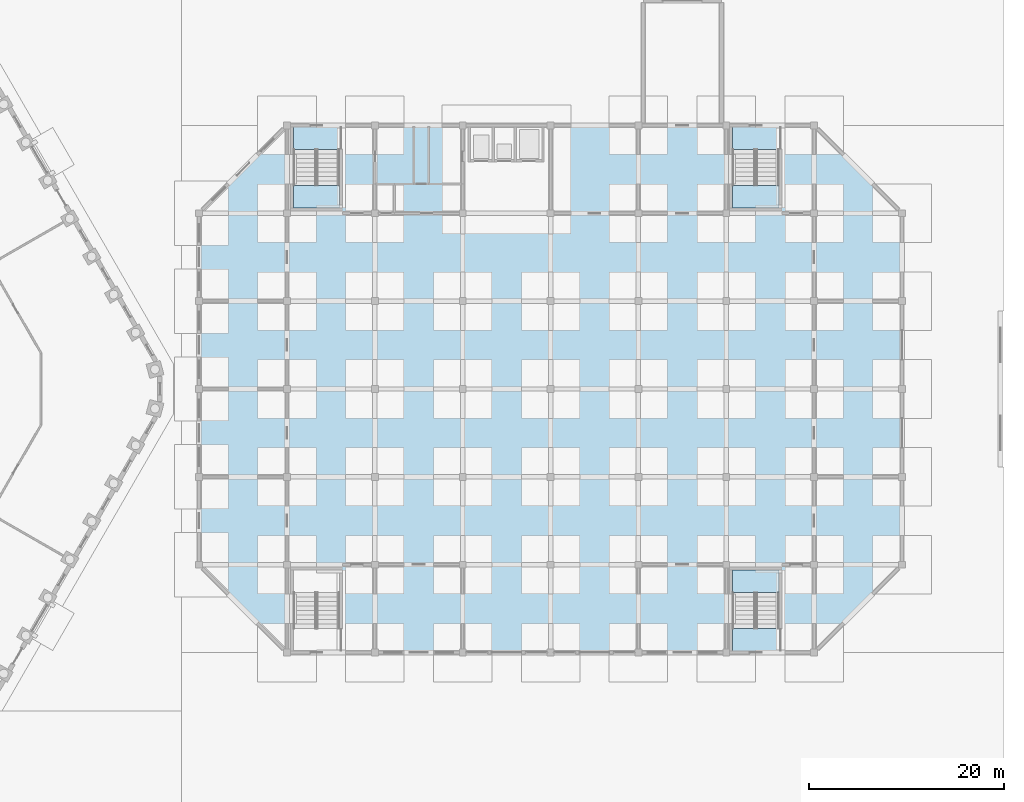
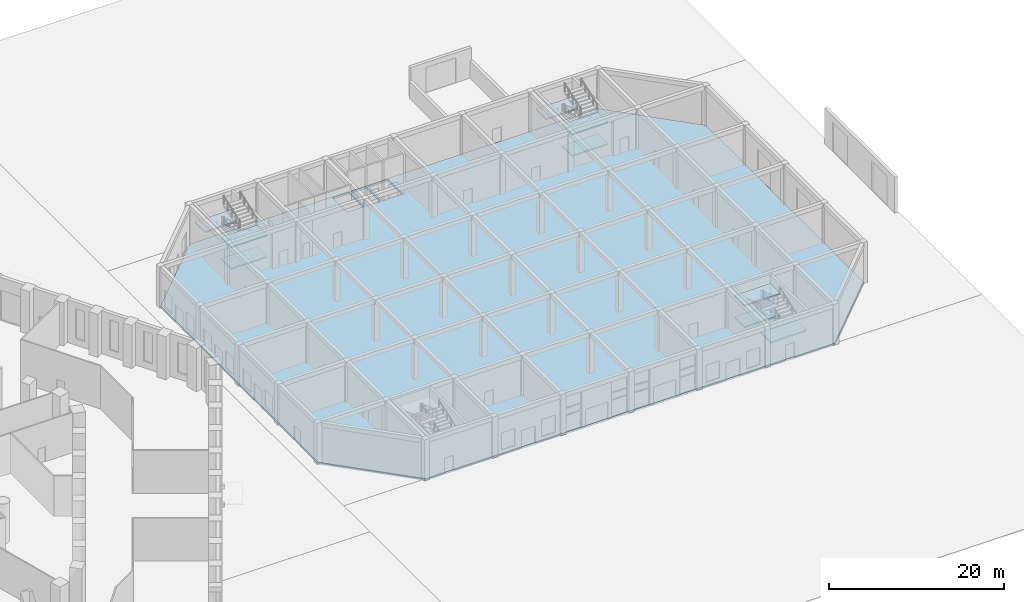
# One storey, part 13 of 44: 10 slabs, 3 elements without a shape of their own.
"""IFC4 building model written with IfcOpenShell, lengths in metres."""

from ifc_helpers import new_model, si_unit, direction, frame, origin, place, context, subcontext, project, spatial, polyline, outline, extrude, material, layer, layer_set, type_object, element, aggregate, save


model = new_model("IFC4")

# Units and contexts
model_context = context("Model", 3, precision=1e-05, world=origin(), true_north=direction((0.0, 1.0)))
body_context = subcontext(model_context, "Body", "Model", "MODEL_VIEW")
ifc_project = project(units=[si_unit("LENGTHUNIT", "METRE"), si_unit("AREAUNIT", "SQUARE_METRE"), si_unit("VOLUMEUNIT", "CUBIC_METRE"), si_unit("PLANEANGLEUNIT", "RADIAN"), si_unit("MASSUNIT", "GRAM", prefix="KILO")], contexts=[model_context])

# Site, building, storey
site_placement = place(None, origin())
site = spatial("IfcSite", under=ifc_project, at=site_placement, CompositionType="ELEMENT")
building_placement = place(site_placement, origin())
building = spatial("IfcBuilding", under=site, at=building_placement, Name="Dhurran Vertical Campus", CompositionType="ELEMENT")
storey_placement = place(building_placement, origin())
storey = spatial("IfcBuildingStorey", under=building, at=storey_placement, Name="L00", CompositionType="ELEMENT", Elevation=0.0)

# Slab
ifc_material_1 = material(Name="Concrete C40/50", Category="concrete")
ifc_layer_1 = layer(ifc_material_1, 0.280029296875)
ifc_layer_set_1 = layer_set([ifc_layer_1], Name="Concrete C40/50")
slab_type_1 = type_object("IfcSlabType", Name="hl-ground slab 280", PredefinedType="BASESLAB", material=ifc_layer_set_1)
slab_1_placement = place(storey_placement, frame((0.0, 0.0, -0.280029296875)))
element("IfcSlab", 1, at=slab_1_placement, inside=storey, type_object=slab_type_1, Name="Hall L00 slab", PredefinedType="BASESLAB", context=body_context, shape_type="SweptSolid", body=[
    extrude(outline(polyline([(61.5, -18.0), (70.5, -27.0), (124.5, -27.0), (133.5, -18.0), (133.5, 18.0), (124.5, 27.0), (70.5, 27.0), (61.5, 18.0), (61.5, -18.0)]), holes=[polyline([(89.300048828125, 23.5), (91.5, 23.5), (91.5, 26.85009765625), (89.300048828125, 26.85009765625), (89.300048828125, 23.5)]), polyline([(91.75, 23.5), (93.75, 23.5), (93.75, 26.85009765625), (91.75, 26.85009765625), (91.75, 23.5)]), polyline([(94.0, 23.5), (96.60009765625, 23.5), (96.60009765625, 26.85009765625), (94.0, 26.85009765625), (94.0, 23.5)])]), origin(), (0.0, 0.0, 1.0), 0.280029296875),
])

# Stair, slabs
ifc_material_2 = material(Name="Concrete C40/50", Category="concrete")
stair_type = type_object("IfcStairType", Name="hl-exit stair dog-leg", PredefinedType="HALF_TURN_STAIR", material=ifc_material_2)
stair_1_placement = place(storey_placement, origin())
stair_1 = element("IfcStair", 2, at=stair_1_placement, inside=storey, type_object=stair_type, Name="L00 Exit stair HST2", PredefinedType="HALF_TURN_STAIR")
ifc_material_3 = material(Name="Concrete C40/50", Category="concrete")
ifc_layer_2 = layer(ifc_material_3, 0.199951171875)
ifc_layer_set_2 = layer_set([ifc_layer_2], Name="Concrete C40/50")
slab_type_2 = type_object("IfcSlabType", Name="hl-stair landing 200", PredefinedType="LANDING", material=ifc_layer_set_2)
slab_2_placement = place(storey_placement, frame((0.0, 0.0, 1.300048828125)))
slab_2 = element("IfcSlab", 3, at=slab_2_placement, type_object=slab_type_2, Name="HST2 landing 1", PredefinedType="LANDING", context=body_context, shape_type="SweptSolid", body=[
    extrude(outline(polyline([(116.14990234375, 20.85400390625), (116.14990234375, 18.550048828125), (120.89990234375, 18.550048828125), (120.89990234375, 20.85400390625), (116.14990234375, 20.85400390625)])), origin(), (0.0, 0.0, 1.0), 0.199951171875),
])
slab_3_placement = place(storey_placement, frame((0.0, 0.0, 2.800048828125)))
slab_3 = element("IfcSlab", 4, at=slab_3_placement, type_object=slab_type_2, Name="HST2 landing 2", PredefinedType="LANDING", context=body_context, shape_type="SweptSolid", body=[
    extrude(outline(polyline([(116.14990234375, 26.85009765625), (116.14990234375, 24.550048828125), (120.89990234375, 24.550048828125), (120.89990234375, 26.85009765625), (116.14990234375, 26.85009765625)])), origin(), (0.0, 0.0, 1.0), 0.199951171875),
])
slab_4_placement = place(storey_placement, frame((0.0, 0.0, 4.300048828125)))
slab_4 = element("IfcSlab", 5, at=slab_4_placement, type_object=slab_type_2, Name="HST2 landing 3", PredefinedType="LANDING", context=body_context, shape_type="SweptSolid", body=[
    extrude(outline(polyline([(116.14990234375, 20.85400390625), (116.14990234375, 18.550048828125), (120.89990234375, 18.550048828125), (120.89990234375, 20.85400390625), (116.14990234375, 20.85400390625)])), origin(), (0.0, 0.0, 1.0), 0.199951171875),
])
aggregate(stair_1, [slab_2, slab_3, slab_4])

stair_2_placement = place(storey_placement, origin())
stair_2 = element("IfcStair", 6, at=stair_2_placement, inside=storey, type_object=stair_type, Name="L00 Exit stair HST3", PredefinedType="HALF_TURN_STAIR")
slab_5_placement = place(storey_placement, frame((0.0, 0.0, 1.300048828125)))
slab_5 = element("IfcSlab", 7, at=slab_5_placement, type_object=slab_type_2, Name="HST3 landing 1", PredefinedType="LANDING", context=body_context, shape_type="SweptSolid", body=[
    extrude(outline(polyline([(71.14990234375, 20.85400390625), (71.14990234375, 18.550048828125), (75.89990234375, 18.550048828125), (75.89990234375, 20.85400390625), (71.14990234375, 20.85400390625)])), origin(), (0.0, 0.0, 1.0), 0.199951171875),
])
slab_6_placement = place(storey_placement, frame((0.0, 0.0, 2.800048828125)))
slab_6 = element("IfcSlab", 8, at=slab_6_placement, type_object=slab_type_2, Name="HST3 landing 2", PredefinedType="LANDING", context=body_context, shape_type="SweptSolid", body=[
    extrude(outline(polyline([(71.14990234375, 26.85009765625), (71.14990234375, 24.550048828125), (75.89990234375, 24.550048828125), (75.89990234375, 26.85009765625), (71.14990234375, 26.85009765625)])), origin(), (0.0, 0.0, 1.0), 0.199951171875),
])
slab_7_placement = place(storey_placement, frame((0.0, 0.0, 4.300048828125)))
slab_7 = element("IfcSlab", 9, at=slab_7_placement, type_object=slab_type_2, Name="HST3 landing 3", PredefinedType="LANDING", context=body_context, shape_type="SweptSolid", body=[
    extrude(outline(polyline([(71.14990234375, 20.85400390625), (71.14990234375, 18.550048828125), (75.89990234375, 18.550048828125), (75.89990234375, 20.85400390625), (71.14990234375, 20.85400390625)])), origin(), (0.0, 0.0, 1.0), 0.199951171875),
])
aggregate(stair_2, [slab_5, slab_6, slab_7])

stair_3_placement = place(storey_placement, origin())
stair_3 = element("IfcStair", 10, at=stair_3_placement, inside=storey, type_object=stair_type, Name="L00 Exit stair HST4", PredefinedType="HALF_TURN_STAIR")
slab_8_placement = place(storey_placement, frame((0.0, 0.0, 1.300048828125)))
slab_8 = element("IfcSlab", 11, at=slab_8_placement, type_object=slab_type_2, Name="HST4 landing 1", PredefinedType="LANDING", context=body_context, shape_type="SweptSolid", body=[
    extrude(outline(polyline([(120.89990234375, -20.85400390625), (120.89990234375, -18.550048828125), (116.14990234375, -18.550048828125), (116.14990234375, -20.85400390625), (120.89990234375, -20.85400390625)])), origin(), (0.0, 0.0, 1.0), 0.199951171875),
])
slab_9_placement = place(storey_placement, frame((0.0, 0.0, 2.800048828125)))
slab_9 = element("IfcSlab", 12, at=slab_9_placement, type_object=slab_type_2, Name="HST4 landing 2", PredefinedType="LANDING", context=body_context, shape_type="SweptSolid", body=[
    extrude(outline(polyline([(120.89990234375, -26.85009765625), (120.89990234375, -24.550048828125), (116.14990234375, -24.550048828125), (116.14990234375, -26.85009765625), (120.89990234375, -26.85009765625)])), origin(), (0.0, 0.0, 1.0), 0.199951171875),
])
slab_10_placement = place(storey_placement, frame((0.0, 0.0, 4.300048828125)))
slab_10 = element("IfcSlab", 13, at=slab_10_placement, type_object=slab_type_2, Name="HST4 landing 3", PredefinedType="LANDING", context=body_context, shape_type="SweptSolid", body=[
    extrude(outline(polyline([(120.89990234375, -20.85400390625), (120.89990234375, -18.550048828125), (116.14990234375, -18.550048828125), (116.14990234375, -20.85400390625), (120.89990234375, -20.85400390625)])), origin(), (0.0, 0.0, 1.0), 0.199951171875),
])
aggregate(stair_3, [slab_8, slab_9, slab_10])

save(model, "model.ifc")
